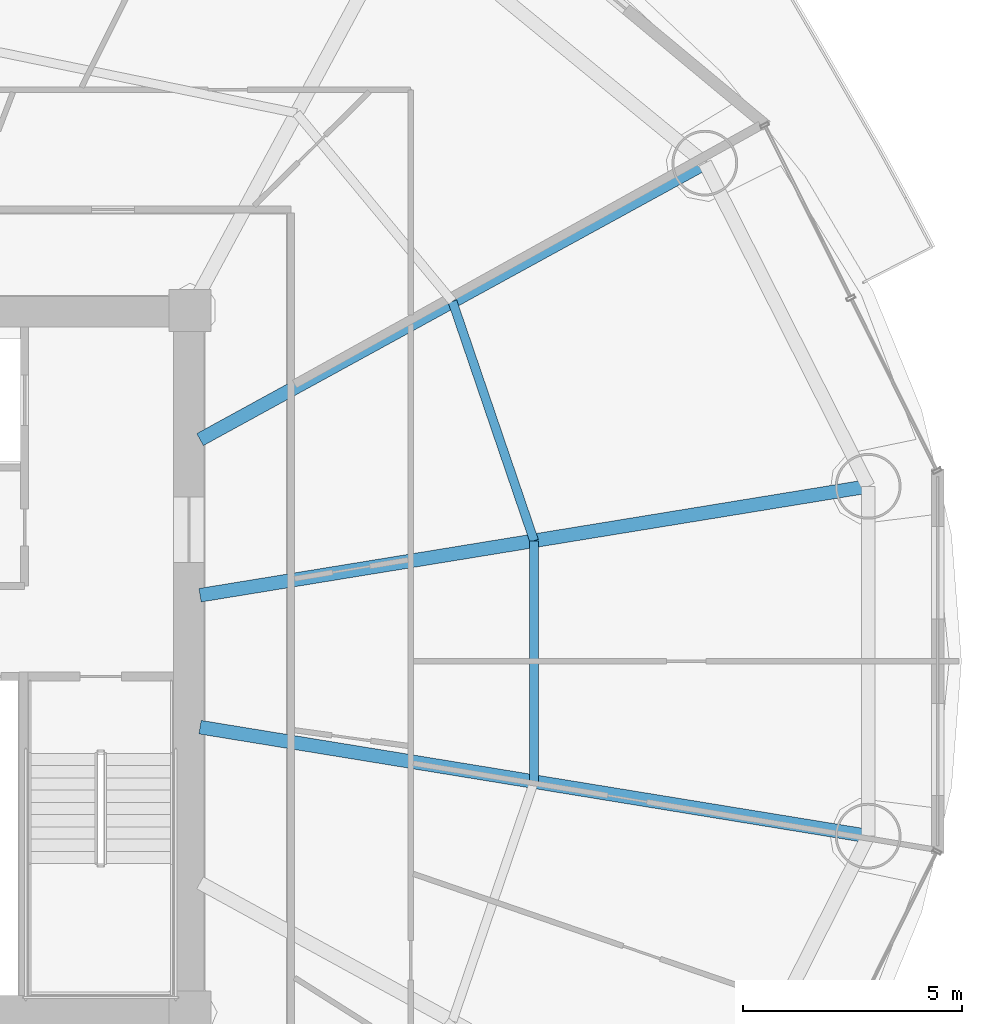
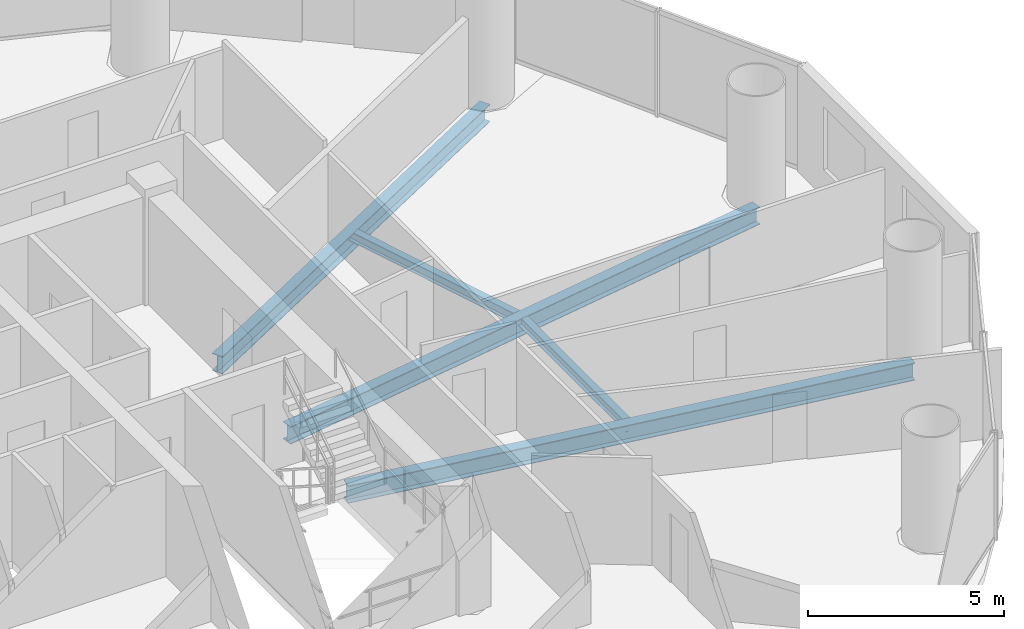
# One storey, part 14 of 29: 5 beams.
"""IFC4 building model written with IfcOpenShell, lengths in metres."""

from ifc_helpers import new_model, si_unit, direction, frame, origin, origin_2d, place, context, subcontext, project, spatial, i_section, extrude, material, material_profile, profile_set, type_object, element, save


model = new_model("IFC4")

# Units and contexts
model_context = context("Model", 3, precision=1e-05, world=origin(), true_north=direction((-0.2419218956, 0.970295726276)))
body_context = subcontext(model_context, "Body", "Model", "MODEL_VIEW")
ifc_project = project(units=[si_unit("LENGTHUNIT", "METRE"), si_unit("AREAUNIT", "SQUARE_METRE"), si_unit("VOLUMEUNIT", "CUBIC_METRE"), si_unit("PLANEANGLEUNIT", "RADIAN"), si_unit("MASSUNIT", "GRAM", prefix="KILO")], contexts=[model_context])

# Site, building, storey
site_placement = place(None, origin())
site = spatial("IfcSite", under=ifc_project, at=site_placement, CompositionType="ELEMENT")
building_placement = place(site_placement, origin())
building = spatial("IfcBuilding", under=site, at=building_placement, Name="Cobrevalo Terracotta Tower", CompositionType="ELEMENT")
storey_placement = place(building_placement, frame((0.0, 0.0, 94.199951171875)))
storey = spatial("IfcBuildingStorey", under=building, at=storey_placement, Name="L24", CompositionType="ELEMENT", Elevation=94.199951171875)

# Beams
ifc_material = material(Name="Steel S355", Category="steel")
ifc_material_profile_1 = material_profile(ifc_material, i_section(OverallWidth=0.31201171875, OverallDepth=0.54296875, WebThickness=0.0126953125, FlangeThickness=0.020263671875, at=origin_2d()), Name="W 530x150")
ifc_profile_set_1 = profile_set([ifc_material_profile_1], Name="Steel S355")
beam_type_1 = type_object("IfcBeamType", Name="Structural Beam W 530x150 (Steel S355)", PredefinedType="BEAM", material=ifc_profile_set_1)
beam_1_placement = place(storey_placement, frame((62.470703125, 30.78955078125, -0.54638671875), z_axis=(-0.986970567439, -0.160900898101, 0.0), x_axis=(0.160900898101, -0.986970567439, 0.0)))
element("IfcBeam", 1, at=beam_1_placement, inside=storey, type_object=beam_type_1, Name="L24 radial floor girder 01", PredefinedType="BEAM", context=body_context, shape_type="SweptSolid", body=[
    extrude(i_section(OverallWidth=0.31201171875, OverallDepth=0.54296875, WebThickness=0.0126953125, FlangeThickness=0.020263671875, at=origin_2d()), origin(), (0.0, 0.0, 1.0), 15.44189453125),
])
beam_2_placement = place(storey_placement, frame((58.7451171875, 38.161376953125, -0.54638671875), z_axis=(-0.877080599376, -0.480343233738, 0.0), x_axis=(0.480343233738, -0.877080599376, 0.0)))
element("IfcBeam", 2, at=beam_2_placement, inside=storey, type_object=beam_type_1, Name="L24 radial floor girder 02", PredefinedType="BEAM", context=body_context, shape_type="SweptSolid", body=[
    extrude(i_section(OverallWidth=0.31201171875, OverallDepth=0.54296875, WebThickness=0.0126953125, FlangeThickness=0.020263671875, at=origin_2d()), origin(), (0.0, 0.0, 1.0), 13.12890625),
])
beam_3_placement = place(storey_placement, frame((62.470703125, 22.810302734375, -0.54638671875), z_axis=(-0.986968056587, 0.160916298977, 0.0), x_axis=(-0.160916298977, -0.986968056587, 0.0)))
element("IfcBeam", 3, at=beam_3_placement, inside=storey, type_object=beam_type_1, Name="L24 radial floor girder 16", PredefinedType="BEAM", context=body_context, shape_type="SweptSolid", body=[
    extrude(i_section(OverallWidth=0.31201171875, OverallDepth=0.54296875, WebThickness=0.0126953125, FlangeThickness=0.020263671875, at=origin_2d()), origin(), (0.0, 0.0, 1.0), 15.44189453125),
])
ifc_material_profile_2 = material_profile(ifc_material, i_section(OverallWidth=0.2041015625, OverallDepth=0.305908203125, WebThickness=0.008544921875, FlangeThickness=0.0146484375, at=origin_2d()), Name="W 310x67")
ifc_profile_set_2 = profile_set([ifc_material_profile_2], Name="Steel S355")
beam_type_2 = type_object("IfcBeamType", Name="Structural Joist W 310x67 (Steel S355)", PredefinedType="JOIST", material=ifc_profile_set_2)
beam_4_placement = place(storey_placement, frame((54.850341796875, 29.547119140625, -0.427978515625), z_axis=(-0.322833299398, 0.94645584197, 0.0), x_axis=(-0.94645584197, -0.322833299398, 0.0)))
element("IfcBeam", 4, at=beam_4_placement, inside=storey, type_object=beam_type_2, Name="L24 circumferential secondary floor joist 01", PredefinedType="JOIST", context=body_context, shape_type="SweptSolid", body=[
    extrude(i_section(OverallWidth=0.2041015625, OverallDepth=0.305908203125, WebThickness=0.008544921875, FlangeThickness=0.0146484375, at=origin_2d()), origin(), (0.0, 0.0, 1.0), 5.77001953125),
])
beam_5_placement = place(storey_placement, frame((54.850341796875, 24.052734375, -0.427978515625), z_axis=(0.0, 1.0, 0.0), x_axis=(-1.0, 0.0, 0.0)))
element("IfcBeam", 5, at=beam_5_placement, inside=storey, type_object=beam_type_2, Name="L24 circumferential secondary floor joist 16", PredefinedType="JOIST", context=body_context, shape_type="SweptSolid", body=[
    extrude(i_section(OverallWidth=0.2041015625, OverallDepth=0.305908203125, WebThickness=0.008544921875, FlangeThickness=0.0146484375, at=origin_2d()), origin(), (0.0, 0.0, 1.0), 5.494384765625),
])

save(model, "model.ifc")
